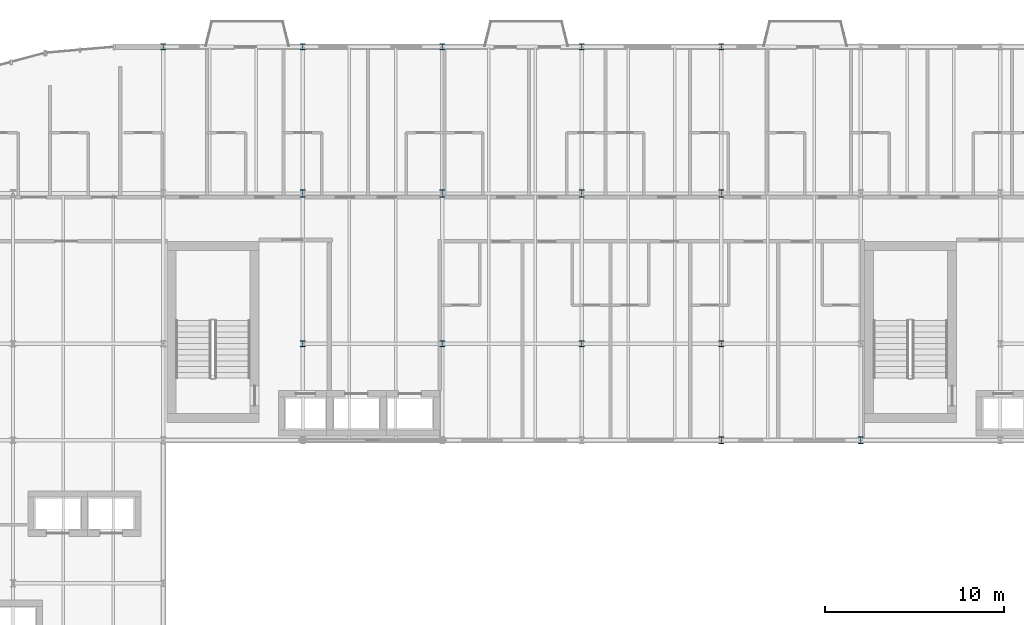
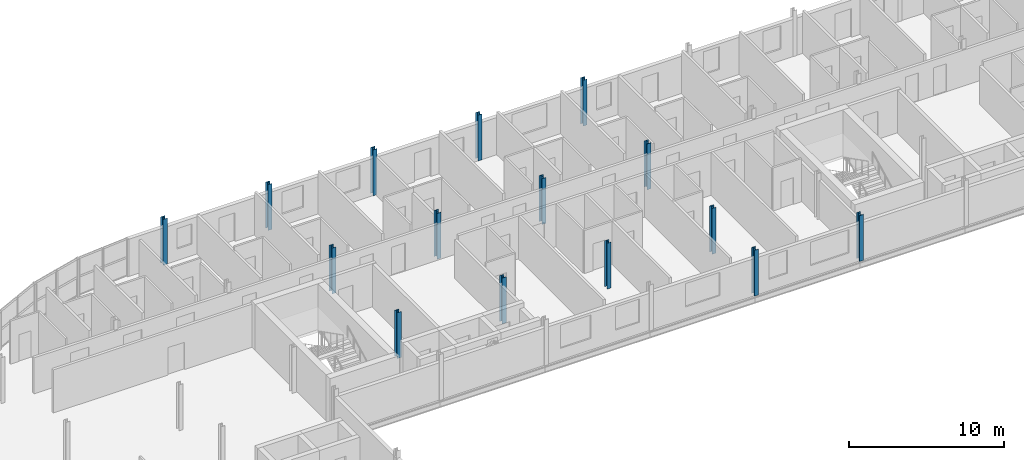
# One storey, part 3 of 25: 15 columns.
"""IFC4 building model written with IfcOpenShell, lengths in metres."""

from ifc_helpers import new_model, si_unit, direction, frame, origin, origin_2d, place, context, subcontext, project, spatial, i_section, extrude, material, material_profile, profile_set, type_object, element, save


model = new_model("IFC4")

# Units and contexts
model_context = context("Model", 3, precision=1e-05, world=origin(), true_north=direction((0.0, 1.0)))
body_context = subcontext(model_context, "Body", "Model", "MODEL_VIEW")
ifc_project = project(units=[si_unit("LENGTHUNIT", "METRE"), si_unit("AREAUNIT", "SQUARE_METRE"), si_unit("VOLUMEUNIT", "CUBIC_METRE"), si_unit("PLANEANGLEUNIT", "RADIAN"), si_unit("MASSUNIT", "GRAM", prefix="KILO")], contexts=[model_context])

# Site, building, storey
site_placement = place(None, origin())
site = spatial("IfcSite", under=ifc_project, at=site_placement, CompositionType="ELEMENT")
building_placement = place(site_placement, origin())
building = spatial("IfcBuilding", under=site, at=building_placement, Name="Sefraquen Railside Congress Hotel", CompositionType="ELEMENT")
storey_placement = place(building_placement, frame((0.0, 0.0, 39.0)))
storey = spatial("IfcBuildingStorey", under=building, at=storey_placement, Name="L09", CompositionType="ELEMENT", Elevation=39.0)

# Columns
ifc_material = material(Name="Steel S355JR", Category="steel")
ifc_material_profile_1 = material_profile(ifc_material, i_section(OverallWidth=0.300048828125, OverallDepth=0.340087890625, WebThickness=0.011962890625, FlangeThickness=0.021484375, FilletRadius=0.027099609375, at=origin_2d()), Name="HEB 340")
ifc_profile_set_1 = profile_set([ifc_material_profile_1], Name="Steel S355JR")
column_type_1 = type_object("IfcColumnType", Name="TC-HEB-340", PredefinedType="COLUMN", material=ifc_profile_set_1)
for number, where, z_axis, x_axis, name in (
    (1, (25.199951171875, 118.0, 0.0), (0.0, 0.0, 1.0), (1.0, 0.0, 0.0), "Structural column 4-Q L09"),
    (2, (33.0, 101.39990234375, 0.0), (0.0, 0.0, 1.0), (1.0, 0.0, 0.0), "Structural column 5-N L09"),
    (3, (33.0, 118.0, 0.0), (0.0, 0.0, 1.0), (1.0, 0.0, 0.0), "Structural column 5-Q L09"),
    (4, (40.800048828125, 101.39990234375, 0.0), (0.0, 0.0, 1.0), (1.0, 0.0, 0.0), "Structural column 6-N L09"),
    (5, (40.800048828125, 118.0, 0.0), (0.0, 0.0, 1.0), (1.0, 0.0, 0.0), "Structural column 6-Q L09"),
    (6, (48.60009765625, 101.39990234375, 0.0), (0.0, 0.0, 1.0), (1.0, 0.0, 0.0), "Structural column 7-N L09"),
    (7, (48.60009765625, 118.0, 0.0), (0.0, 0.0, 1.0), (1.0, 0.0, 0.0), "Structural column 7-Q L09"),
    (8, (56.39990234375, 101.39990234375, 0.0), (0.0, 0.0, 1.0), (1.0, 0.0, 0.0), "Structural column 8-N L09"),
    (9, (56.39990234375, 118.0, 0.0), (0.0, 0.0, 1.0), (1.0, 0.0, 0.0), "Structural column 8-Q L09"),
):
    element("IfcColumn", number, at=place(storey_placement, frame(where, z_axis=z_axis, x_axis=x_axis)), inside=storey, type_object=column_type_1, Name=name, PredefinedType="COLUMN", context=body_context, shape_type="SweptSolid", body=[
        extrude(i_section(OverallWidth=0.300048828125, OverallDepth=0.340087890625, WebThickness=0.011962890625, FlangeThickness=0.021484375, FilletRadius=0.027099609375, at=origin_2d()), origin(), (0.0, 0.0, 1.0), 3.60009765625),
    ])
ifc_material_profile_2 = material_profile(ifc_material, i_section(OverallWidth=0.300048828125, OverallDepth=0.39990234375, WebThickness=0.013427734375, FlangeThickness=0.02392578125, FilletRadius=0.027099609375, at=origin_2d()), Name="HEB 400")
ifc_profile_set_2 = profile_set([ifc_material_profile_2], Name="Steel S355JR")
column_type_2 = type_object("IfcColumnType", Name="TC-HEB-400", PredefinedType="COLUMN", material=ifc_profile_set_2)
for number, where, z_axis, x_axis, name in (
    (10, (33.0, 109.800048828125, 0.0), (0.0, 0.0, 1.0), (1.0, 0.0, 0.0), "Structural column 5-P L09"),
    (11, (40.800048828125, 109.800048828125, 0.0), (0.0, 0.0, 1.0), (1.0, 0.0, 0.0), "Structural column 6-P L09"),
    (12, (48.60009765625, 109.800048828125, 0.0), (0.0, 0.0, 1.0), (1.0, 0.0, 0.0), "Structural column 7-P L09"),
    (13, (56.39990234375, 96.0, 0.0), (0.0, 0.0, 1.0), (1.0, 0.0, 0.0), "Structural column 8-M L09"),
    (14, (56.39990234375, 109.800048828125, 0.0), (0.0, 0.0, 1.0), (1.0, 0.0, 0.0), "Structural column 8-P L09"),
    (15, (64.199951171875, 96.0, 0.0), (0.0, 0.0, 1.0), (1.0, 0.0, 0.0), "Structural column 9-M L09"),
):
    element("IfcColumn", number, at=place(storey_placement, frame(where, z_axis=z_axis, x_axis=x_axis)), inside=storey, type_object=column_type_2, Name=name, PredefinedType="COLUMN", context=body_context, shape_type="SweptSolid", body=[
        extrude(i_section(OverallWidth=0.300048828125, OverallDepth=0.39990234375, WebThickness=0.013427734375, FlangeThickness=0.02392578125, FilletRadius=0.027099609375, at=origin_2d()), origin(), (0.0, 0.0, 1.0), 3.60009765625),
    ])

save(model, "model.ifc")
